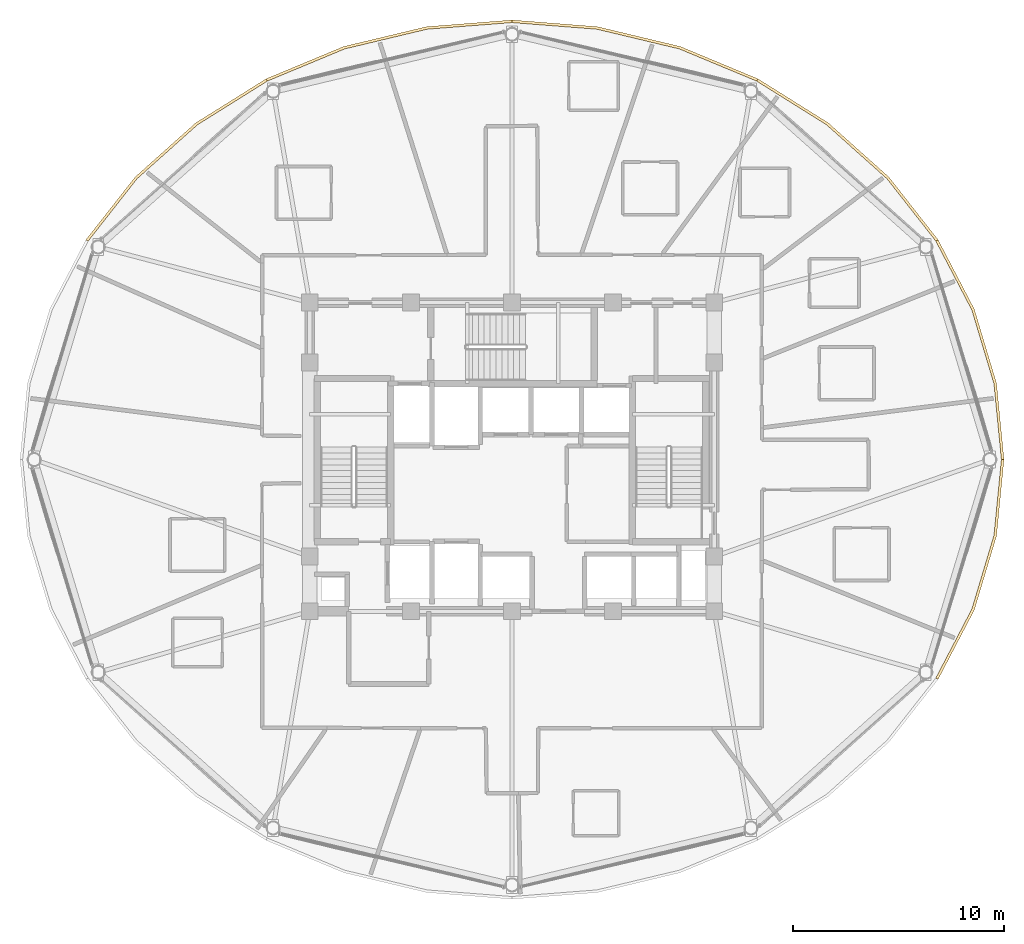
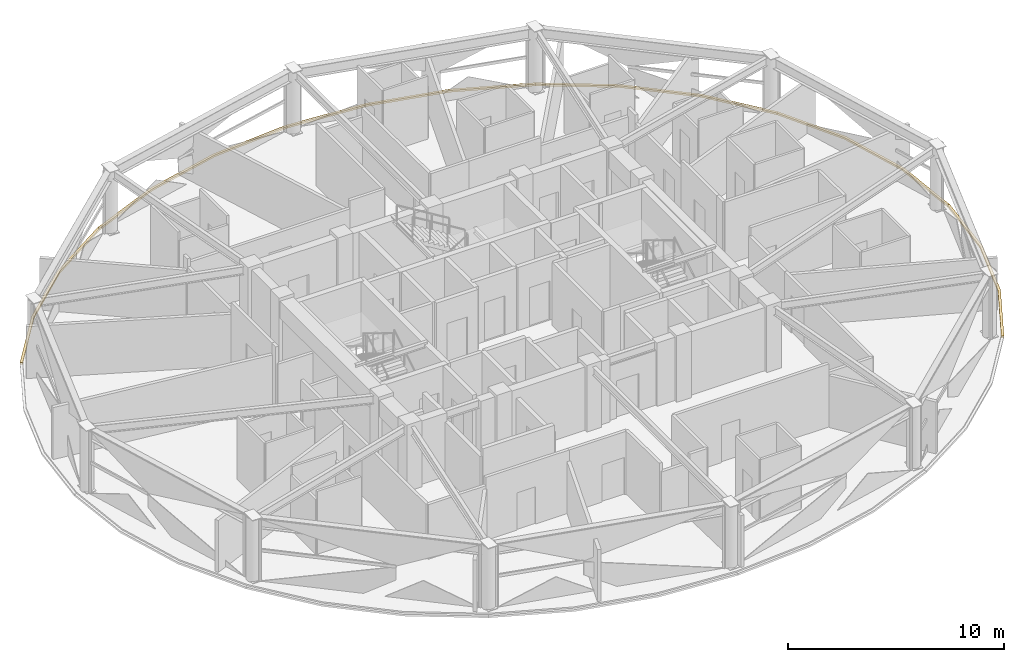
# One storey, part 30 of 30: 6 coverings.
"""IFC4 building model written with IfcOpenShell, lengths in metres."""

from ifc_helpers import new_model, si_unit, direction, frame, origin, place, context, subcontext, project, spatial, polyline, outline, extrude, material, layer, layer_set, type_object, element, save


model = new_model("IFC4")

# Units and contexts
model_context = context("Model", 3, precision=1e-05, world=origin(), true_north=direction((0.0, 1.0)))
body_context = subcontext(model_context, "Body", "Model", "MODEL_VIEW")
ifc_project = project(units=[si_unit("LENGTHUNIT", "METRE"), si_unit("AREAUNIT", "SQUARE_METRE"), si_unit("VOLUMEUNIT", "CUBIC_METRE"), si_unit("PLANEANGLEUNIT", "RADIAN"), si_unit("MASSUNIT", "GRAM", prefix="KILO")], contexts=[model_context])

# Site, building, storey
site_placement = place(None, origin())
site = spatial("IfcSite", under=ifc_project, at=site_placement, CompositionType="ELEMENT")
building_placement = place(site_placement, origin())
building = spatial("IfcBuilding", under=site, at=building_placement, Name="Vantalir Tower", CompositionType="ELEMENT")
storey_placement = place(building_placement, frame((0.0, 0.0, 193.64990234375)))
storey = spatial("IfcBuildingStorey", under=building, at=storey_placement, Name="L48", CompositionType="ELEMENT", Elevation=193.64990234375)

# Coverings
ifc_material = material(Name="Anodised champagne aluminium sill fascia", Category="aluminium")
ifc_layer = layer(ifc_material, 0.125)
ifc_layer_set = layer_set([ifc_layer], Name="Anodised champagne aluminium sill fascia")
covering_type = type_object("IfcCoveringType", Name="COV-SLAB-FASCIA-125", PredefinedType="CLADDING", material=ifc_layer_set)
covering_1_placement = place(storey_placement, frame((0.0, 0.0, -0.179931640625)))
element("IfcCovering", 1, at=covering_1_placement, inside=storey, type_object=covering_type, Name="L48 Perimeter Slab-Edge Sill Fascia 01", PredefinedType="CLADDING", context=body_context, shape_type="SweptSolid", body=[
    extrude(outline(polyline([(54.85107421875, 25.0), (54.49609375, 28.623046875), (53.443115234375, 32.135986328125), (51.722900390625, 35.430908203125), (51.614013671875, 35.368896484375), (53.324951171875, 32.093017578125), (54.373046875, 28.60107421875), (54.72607421875, 25.0), (54.85107421875, 25.0)])), origin(), (0.0, 0.0, 1.0), 0.10498046875),
])
covering_2_placement = place(storey_placement, frame((0.0, 0.0, -0.179931640625)))
element("IfcCovering", 2, at=covering_2_placement, inside=storey, type_object=covering_type, Name="L48 Perimeter Slab-Edge Sill Fascia 02", PredefinedType="CLADDING", context=body_context, shape_type="SweptSolid", body=[
    extrude(outline(polyline([(51.722900390625, 35.430908203125), (49.387939453125, 38.409912109375), (46.510009765625, 40.98193359375), (43.176025390625, 43.068115234375), (43.113037109375, 42.9599609375), (46.428955078125, 40.885986328125), (49.2919921875, 38.330078125), (51.614013671875, 35.368896484375), (51.722900390625, 35.430908203125)])), origin(), (0.0, 0.0, 1.0), 0.10498046875),
])
covering_3_placement = place(storey_placement, frame((0.0, 0.0, -0.179931640625)))
element("IfcCovering", 3, at=covering_3_placement, inside=storey, type_object=covering_type, Name="L48 Perimeter Slab-Edge Sill Fascia 03", PredefinedType="CLADDING", context=body_context, shape_type="SweptSolid", body=[
    extrude(outline(polyline([(43.176025390625, 43.068115234375), (39.487060546875, 44.60498046875), (35.554931640625, 45.5458984375), (31.5, 45.863037109375), (31.5, 45.738037109375), (35.532958984375, 45.423095703125), (39.444091796875, 44.487060546875), (43.113037109375, 42.9599609375), (43.176025390625, 43.068115234375)])), origin(), (0.0, 0.0, 1.0), 0.10498046875),
])
covering_4_placement = place(storey_placement, frame((0.0, 0.0, -0.179931640625)))
element("IfcCovering", 4, at=covering_4_placement, inside=storey, type_object=covering_type, Name="L48 Perimeter Slab-Edge Sill Fascia 04", PredefinedType="CLADDING", context=body_context, shape_type="SweptSolid", body=[
    extrude(outline(polyline([(31.5, 45.863037109375), (27.445068359375, 45.5458984375), (23.512939453125, 44.60498046875), (19.824951171875, 43.068115234375), (19.886962890625, 42.9599609375), (23.555908203125, 44.487060546875), (27.467041015625, 45.423095703125), (31.5, 45.738037109375), (31.5, 45.863037109375)])), origin(), (0.0, 0.0, 1.0), 0.10498046875),
])
covering_5_placement = place(storey_placement, frame((0.0, 0.0, -0.179931640625)))
element("IfcCovering", 5, at=covering_5_placement, inside=storey, type_object=covering_type, Name="L48 Perimeter Slab-Edge Sill Fascia 05", PredefinedType="CLADDING", context=body_context, shape_type="SweptSolid", body=[
    extrude(outline(polyline([(19.824951171875, 43.068115234375), (16.489990234375, 40.98193359375), (13.612060546875, 38.409912109375), (11.277099609375, 35.430908203125), (11.385986328125, 35.368896484375), (13.7080078125, 38.330078125), (16.571044921875, 40.885986328125), (19.886962890625, 42.9599609375), (19.824951171875, 43.068115234375)])), origin(), (0.0, 0.0, 1.0), 0.10498046875),
])
covering_6_placement = place(storey_placement, frame((0.0, 0.0, -0.179931640625)))
element("IfcCovering", 6, at=covering_6_placement, inside=storey, type_object=covering_type, Name="L48 Perimeter Slab-Edge Sill Fascia 12", PredefinedType="CLADDING", context=body_context, shape_type="SweptSolid", body=[
    extrude(outline(polyline([(51.722900390625, 14.568115234375), (53.443115234375, 17.864013671875), (54.49609375, 21.376953125), (54.85107421875, 25.0), (54.72607421875, 25.0), (54.373046875, 21.39892578125), (53.324951171875, 17.906982421875), (51.614013671875, 14.631103515625), (51.722900390625, 14.568115234375)])), origin(), (0.0, 0.0, 1.0), 0.10498046875),
])

save(model, "model.ifc")
